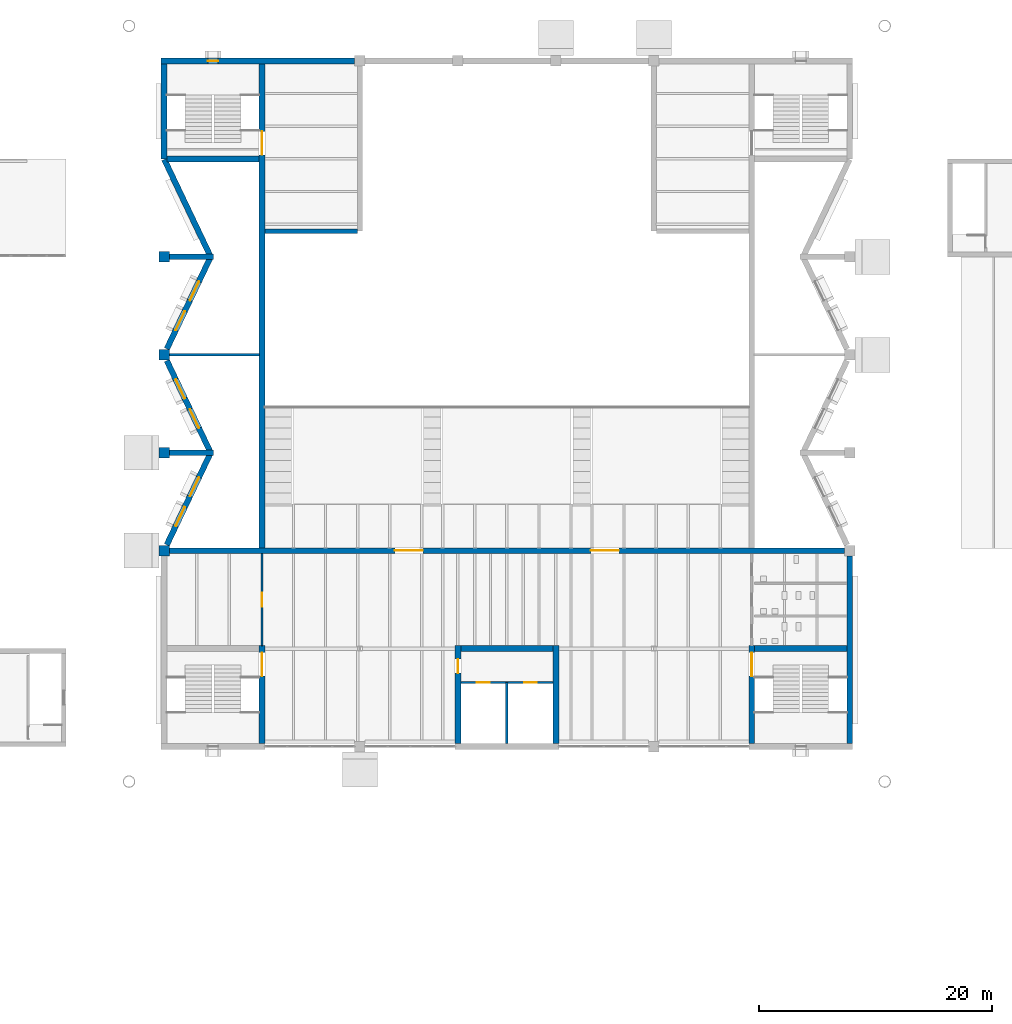
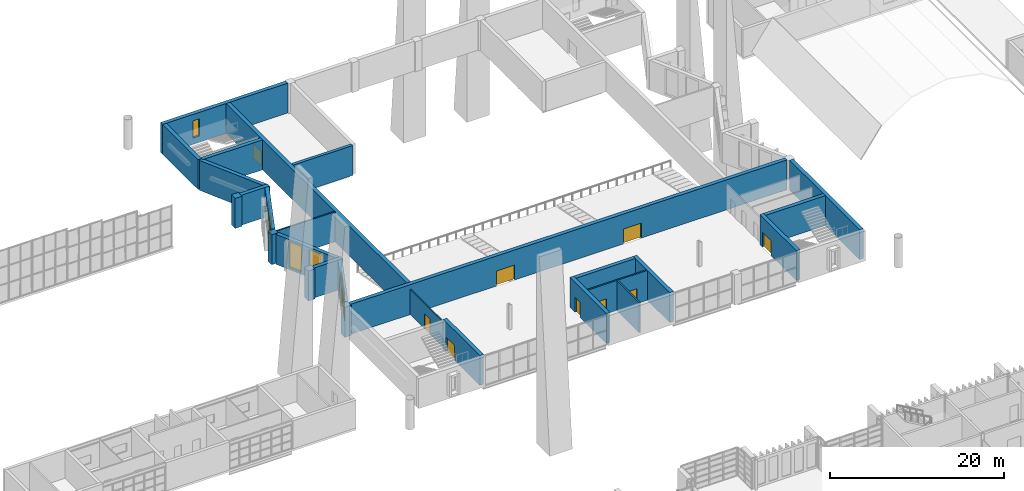
# One storey, part 70 of 100: 27 walls, 9 doors, 7 windows, 16 openings.
"""IFC4 building model written with IfcOpenShell, lengths in metres."""

from ifc_helpers import new_model, si_unit, direction, frame, frame_2d, origin, place, context, subcontext, project, spatial, rectangle, extrude, material, layer, layer_set, type_object, element, fill, save


model = new_model("IFC4")

# Units and contexts
model_context = context("Model", 3, precision=1e-05, world=origin(), true_north=direction((0.0, 1.0)))
body_context = subcontext(model_context, "Body", "Model", "MODEL_VIEW")
ifc_project = project(units=[si_unit("LENGTHUNIT", "METRE"), si_unit("AREAUNIT", "SQUARE_METRE"), si_unit("VOLUMEUNIT", "CUBIC_METRE"), si_unit("PLANEANGLEUNIT", "RADIAN"), si_unit("MASSUNIT", "GRAM", prefix="KILO")], contexts=[model_context])

# Site, building, storey
site_placement = place(None, origin())
site = spatial("IfcSite", under=ifc_project, at=site_placement, CompositionType="ELEMENT")
building_placement = place(site_placement, origin())
building = spatial("IfcBuilding", under=site, at=building_placement, Name="Cresset Court Congress Hotel", CompositionType="ELEMENT")
storey_placement = place(building_placement, frame((0.0, 0.0, 10.199951171875)))
storey = spatial("IfcBuildingStorey", under=building, at=storey_placement, Name="L02", CompositionType="ELEMENT", Elevation=10.199951171875)

# Wall
ifc_material_1 = material(Name="Concrete C35", Category="concrete")
ifc_layer_1 = layer(ifc_material_1, 0.199951171875)
ifc_layer_set_1 = layer_set([ifc_layer_1], Name="Gallery cross wall 200")
wall_type_1 = type_object("IfcWallType", Name="Gallery cross wall 200", PredefinedType="PARTITIONING", material=ifc_layer_set_1)
wall_1_placement = place(storey_placement, frame((59.25, 92.39990234375, 0.0), z_axis=(0.0, 0.0, 1.0), x_axis=(1.0, 0.0, 0.0)))
element("IfcWall", 1, at=wall_1_placement, inside=storey, type_object=wall_type_1, Name="Wall CP-galWL02", PredefinedType="PARTITIONING", context=body_context, shape_type="SweptSolid", body=[
    extrude(rectangle(XDim=7.75, YDim=0.199951171875, at=frame_2d((3.875, 0.0))), origin(), (0.0, 0.0, 1.0), 4.199951171875),
])

# Wall, openings, doors
ifc_material_2 = material(Name="Concrete C50", Category="concrete")
ifc_layer_2 = layer(ifc_material_2, 0.5)
ifc_layer_set_2 = layer_set([ifc_layer_2], Name="Hall inner wall 500")
wall_type_2 = type_object("IfcWallType", Name="Hall inner wall 500", PredefinedType="SOLIDWALL", material=ifc_layer_set_2)
wall_2_placement = place(storey_placement, frame((59.25, 75.60009765625, 0.0), z_axis=(0.0, 0.0, 1.0), x_axis=(1.0, 0.0, 0.0)))
wall_2 = element("IfcWall", 2, at=wall_2_placement, inside=storey, type_object=wall_type_2, Name="Wall CI-RL02", PredefinedType="SOLIDWALL", context=body_context, shape_type="SweptSolid", body=[
    extrude(rectangle(XDim=57.89990234375, YDim=0.5, at=frame_2d((28.949951171875, 0.0))), origin(), (0.0, 0.0, 1.0), 4.199951171875),
])
opening_1_placement = place(wall_2_placement, frame((19.35009765625, 0.0, 0.0)))
opening_1 = element("IfcOpeningElement", 3, at=opening_1_placement, cuts=wall_2, Name="Opening DC-02-14", PredefinedType="OPENING", context=body_context, shape_type="SweptSolid", body=[
    extrude(rectangle(XDim=2.39990234375, YDim=2.10009765625, at=frame_2d((1.199951171875, 1.050048828125))), frame((0.0, 0.260009765625, 0.0), z_axis=(0.0, -1.0, 0.0), x_axis=(1.0, 0.0, 0.0)), (0.0, 0.0, 1.0), 0.52001953125),
])
opening_2_placement = place(wall_2_placement, frame((36.14990234375, 0.0, 0.0)))
opening_2 = element("IfcOpeningElement", 4, at=opening_2_placement, cuts=wall_2, Name="Opening DC-02-15", PredefinedType="OPENING", context=body_context, shape_type="SweptSolid", body=[
    extrude(rectangle(XDim=2.39990234375, YDim=2.10009765625, at=frame_2d((1.199951171875, 1.050048828125))), frame((0.0, 0.260009765625, 0.0), z_axis=(0.0, -1.0, 0.0), x_axis=(1.0, 0.0, 0.0)), (0.0, 0.0, 1.0), 0.52001953125),
])
ifc_material_3 = material(Name="Timber", Category="wood")
door_type_1 = type_object("IfcDoorType", Name="Double swing door 2400x2100 FD30", OperationType="DOUBLE_DOOR_DOUBLE_SWING", PredefinedType="DOOR", material=ifc_material_3)
door_1_placement = place(opening_1_placement, origin())
door_1 = element("IfcDoor", 5, at=door_1_placement, inside=storey, type_object=door_type_1, Name="Balcony door W", OperationType="DOUBLE_DOOR_DOUBLE_SWING", OverallHeight=2.10009765625, OverallWidth=2.39990234375, PredefinedType="DOOR", context=body_context, shape_type="SweptSolid", body=[
    extrude(rectangle(XDim=2.39990234375, YDim=2.10009765625, at=frame_2d((1.199951171875, 1.050048828125))), frame((0.0, 0.02490234375, 0.0), z_axis=(0.0, -1.0, 0.0), x_axis=(1.0, 0.0, 0.0)), (0.0, 0.0, 1.0), 0.050048828125),
])
fill(opening_1, door_1)
door_2_placement = place(opening_2_placement, origin())
door_2 = element("IfcDoor", 6, at=door_2_placement, inside=storey, type_object=door_type_1, Name="Balcony door E", OperationType="DOUBLE_DOOR_DOUBLE_SWING", OverallHeight=2.10009765625, OverallWidth=2.39990234375, PredefinedType="DOOR", context=body_context, shape_type="SweptSolid", body=[
    extrude(rectangle(XDim=2.39990234375, YDim=2.10009765625, at=frame_2d((1.199951171875, 1.050048828125))), frame((0.0, 0.02490234375, 0.0), z_axis=(0.0, -1.0, 0.0), x_axis=(1.0, 0.0, 0.0)), (0.0, 0.0, 1.0), 0.050048828125),
])
fill(opening_2, door_2)

# Wall, opening, door
wall_3_placement = place(storey_placement, frame((67.199951171875, 75.85009765625, 0.0), z_axis=(0.0, 0.0, 1.0), x_axis=(0.0, 1.0, 0.0)))
wall_3 = element("IfcWall", 7, at=wall_3_placement, inside=storey, type_object=wall_type_2, Name="Wall CI-WL02", PredefinedType="SOLIDWALL", context=body_context, shape_type="SweptSolid", body=[
    extrude(rectangle(XDim=41.5, YDim=0.5, at=frame_2d((20.75, 0.0))), origin(), (0.0, 0.0, 1.0), 4.199951171875),
])
opening_3_placement = place(wall_3_placement, frame((33.699951171875, 0.0, 0.0)))
opening_3 = element("IfcOpeningElement", 8, at=opening_3_placement, cuts=wall_3, Name="Opening DC-02-03", PredefinedType="OPENING", context=body_context, shape_type="SweptSolid", body=[
    extrude(rectangle(XDim=2.0, YDim=2.10009765625, at=frame_2d((1.0, 1.050048828125))), frame((0.0, 0.260009765625, 0.0), z_axis=(0.0, -1.0, 0.0), x_axis=(1.0, 0.0, 0.0)), (0.0, 0.0, 1.0), 0.52001953125),
])
ifc_material_4 = material(Name="Timber", Category="wood")
door_type_2 = type_object("IfcDoorType", Name="Double swing door 2000x2100 FD60", OperationType="DOUBLE_DOOR_DOUBLE_SWING", PredefinedType="DOOR", material=ifc_material_4)
door_3_placement = place(opening_3_placement, origin())
door_3 = element("IfcDoor", 9, at=door_3_placement, inside=storey, type_object=door_type_2, Name="Stair door ST-C3 L02", OperationType="DOUBLE_DOOR_DOUBLE_SWING", OverallHeight=2.10009765625, OverallWidth=2.0, PredefinedType="DOOR", context=body_context, shape_type="SweptSolid", body=[
    extrude(rectangle(XDim=2.0, YDim=2.10009765625, at=frame_2d((1.0, 1.050048828125))), frame((0.0, 0.02490234375, 0.0), z_axis=(0.0, -1.0, 0.0), x_axis=(1.0, 0.0, 0.0)), (0.0, 0.0, 1.0), 0.050048828125),
])
fill(opening_3, door_3)

wall_4_placement = place(storey_placement, frame((67.199951171875, 59.050048828125, 0.0), z_axis=(0.0, 0.0, 1.0), x_axis=(0.0, 1.0, 0.0)))
wall_4 = element("IfcWall", 10, at=wall_4_placement, inside=storey, type_object=wall_type_2, Name="Wall CC-C1EL02", PredefinedType="SOLIDWALL", context=body_context, shape_type="SweptSolid", body=[
    extrude(rectangle(XDim=8.39990234375, YDim=0.5, at=frame_2d((4.199951171875, 0.0))), origin(), (0.0, 0.0, 1.0), 4.199951171875),
])
opening_4_placement = place(wall_4_placement, frame((5.800048828125, 0.0, 0.0)))
opening_4 = element("IfcOpeningElement", 11, at=opening_4_placement, cuts=wall_4, Name="Opening DC-02-01", PredefinedType="OPENING", context=body_context, shape_type="SweptSolid", body=[
    extrude(rectangle(XDim=2.0, YDim=2.10009765625, at=frame_2d((1.0, 1.050048828125))), frame((0.0, 0.260009765625, 0.0), z_axis=(0.0, -1.0, 0.0), x_axis=(1.0, 0.0, 0.0)), (0.0, 0.0, 1.0), 0.52001953125),
])
door_4_placement = place(opening_4_placement, origin())
door_4 = element("IfcDoor", 12, at=door_4_placement, inside=storey, type_object=door_type_2, Name="Stair door ST-C1 L02", OperationType="DOUBLE_DOOR_DOUBLE_SWING", OverallHeight=2.10009765625, OverallWidth=2.0, PredefinedType="DOOR", context=body_context, shape_type="SweptSolid", body=[
    extrude(rectangle(XDim=2.0, YDim=2.10009765625, at=frame_2d((1.0, 1.050048828125))), frame((0.0, 0.02490234375, 0.0), z_axis=(0.0, -1.0, 0.0), x_axis=(1.0, 0.0, 0.0)), (0.0, 0.0, 1.0), 0.050048828125),
])
fill(opening_4, door_4)

wall_5_placement = place(storey_placement, frame((109.199951171875, 59.050048828125, 0.0), z_axis=(0.0, 0.0, 1.0), x_axis=(0.0, 1.0, 0.0)))
wall_5 = element("IfcWall", 13, at=wall_5_placement, inside=storey, type_object=wall_type_2, Name="Wall CC-C2WL02", PredefinedType="SOLIDWALL", context=body_context, shape_type="SweptSolid", body=[
    extrude(rectangle(XDim=8.39990234375, YDim=0.5, at=frame_2d((4.199951171875, 0.0))), origin(), (0.0, 0.0, 1.0), 4.199951171875),
])
opening_5_placement = place(wall_5_placement, frame((5.800048828125, 0.0, 0.0)))
opening_5 = element("IfcOpeningElement", 14, at=opening_5_placement, cuts=wall_5, Name="Opening DC-02-02", PredefinedType="OPENING", context=body_context, shape_type="SweptSolid", body=[
    extrude(rectangle(XDim=2.0, YDim=2.10009765625, at=frame_2d((1.0, 1.050048828125))), frame((0.0, 0.260009765625, 0.0), z_axis=(0.0, -1.0, 0.0), x_axis=(1.0, 0.0, 0.0)), (0.0, 0.0, 1.0), 0.52001953125),
])
door_5_placement = place(opening_5_placement, origin())
door_5 = element("IfcDoor", 15, at=door_5_placement, inside=storey, type_object=door_type_2, Name="Stair door ST-C2 L02", OperationType="DOUBLE_DOOR_DOUBLE_SWING", OverallHeight=2.10009765625, OverallWidth=2.0, PredefinedType="DOOR", context=body_context, shape_type="SweptSolid", body=[
    extrude(rectangle(XDim=2.0, YDim=2.10009765625, at=frame_2d((1.0, 1.050048828125))), frame((0.0, 0.02490234375, 0.0), z_axis=(0.0, -1.0, 0.0), x_axis=(1.0, 0.0, 0.0)), (0.0, 0.0, 1.0), 0.050048828125),
])
fill(opening_5, door_5)

# Walls
wall_6_placement = place(storey_placement, frame((109.449951171875, 67.199951171875, 0.0), z_axis=(0.0, 0.0, 1.0), x_axis=(1.0, 0.0, 0.0)))
element("IfcWall", 16, at=wall_6_placement, inside=storey, type_object=wall_type_2, Name="Wall CC-C2NL02", PredefinedType="SOLIDWALL", context=body_context, shape_type="SweptSolid", body=[
    extrude(rectangle(XDim=7.900146484375, YDim=0.5, at=frame_2d((3.9501953125, 0.0))), origin(), (0.0, 0.0, 1.0), 4.199951171875),
])
wall_7_placement = place(storey_placement, frame((59.050048828125, 109.199951171875, 0.0), z_axis=(0.0, 0.0, 1.0), x_axis=(1.0, 0.0, 0.0)))
element("IfcWall", 17, at=wall_7_placement, inside=storey, type_object=wall_type_2, Name="Wall CC-C3SL02", PredefinedType="SOLIDWALL", context=body_context, shape_type="SweptSolid", body=[
    extrude(rectangle(XDim=7.89990234375, YDim=0.5, at=frame_2d((3.949951171875, 0.0))), origin(), (0.0, 0.0, 1.0), 4.199951171875),
])
wall_8_placement = place(storey_placement, frame((92.39990234375, 59.050048828125, 0.0), z_axis=(0.0, 0.0, 1.0), x_axis=(0.0, 1.0, 0.0)))
element("IfcWall", 18, at=wall_8_placement, inside=storey, type_object=wall_type_2, Name="Wall CC-C1EL02", PredefinedType="SOLIDWALL", context=body_context, shape_type="SweptSolid", body=[
    extrude(rectangle(XDim=8.39990234375, YDim=0.5, at=frame_2d((4.199951171875, 0.0))), origin(), (0.0, 0.0, 1.0), 4.199951171875),
])

# Wall, opening, door
wall_9_placement = place(storey_placement, frame((84.0, 59.050048828125, 0.0), z_axis=(0.0, 0.0, 1.0), x_axis=(0.0, 1.0, 0.0)))
wall_9 = element("IfcWall", 19, at=wall_9_placement, inside=storey, type_object=wall_type_2, Name="Wall CC-C1WL02", PredefinedType="SOLIDWALL", context=body_context, shape_type="SweptSolid", body=[
    extrude(rectangle(XDim=8.39990234375, YDim=0.5, at=frame_2d((4.199951171875, 0.0))), origin(), (0.0, 0.0, 1.0), 4.199951171875),
])
opening_6_placement = place(wall_9_placement, frame((6.050048828125, 0.0, 0.0)))
opening_6 = element("IfcOpeningElement", 20, at=opening_6_placement, cuts=wall_9, Name="Opening DC-02-05", PredefinedType="OPENING", context=body_context, shape_type="SweptSolid", body=[
    extrude(rectangle(XDim=1.199951171875, YDim=2.10009765625, at=frame_2d((0.60009765625, 1.050048828125))), frame((0.0, 0.260009765625, 0.0), z_axis=(0.0, -1.0, 0.0), x_axis=(1.0, 0.0, 0.0)), (0.0, 0.0, 1.0), 0.52001953125),
])
ifc_material_5 = material(Name="Timber", Category="wood")
door_type_3 = type_object("IfcDoorType", Name="Single swing door 1200x2100 FD60", OperationType="SINGLE_SWING_LEFT", PredefinedType="DOOR", material=ifc_material_5)
door_6_placement = place(opening_6_placement, origin())
door_6 = element("IfcDoor", 21, at=door_6_placement, inside=storey, type_object=door_type_3, Name="Lift lobby door L02", OperationType="SINGLE_SWING_LEFT", OverallHeight=2.10009765625, OverallWidth=1.199951171875, PredefinedType="DOOR", context=body_context, shape_type="SweptSolid", body=[
    extrude(rectangle(XDim=1.199951171875, YDim=2.10009765625, at=frame_2d((0.60009765625, 1.050048828125))), frame((0.0, 0.02490234375, 0.0), z_axis=(0.0, -1.0, 0.0), x_axis=(1.0, 0.0, 0.0)), (0.0, 0.0, 1.0), 0.050048828125),
])
fill(opening_6, door_6)

# Walls
wall_10_placement = place(storey_placement, frame((84.25, 67.199951171875, 0.0), z_axis=(0.0, 0.0, 1.0), x_axis=(1.0, 0.0, 0.0)))
element("IfcWall", 22, at=wall_10_placement, inside=storey, type_object=wall_type_2, Name="Wall CC-C1NL02", PredefinedType="SOLIDWALL", context=body_context, shape_type="SweptSolid", body=[
    extrude(rectangle(XDim=7.89990234375, YDim=0.5, at=frame_2d((3.949951171875, 0.0))), origin(), (0.0, 0.0, 1.0), 4.199951171875),
])
ifc_material_6 = material(Name="Limestone-faced precast concrete C50", Category="masonry")
ifc_layer_3 = layer(ifc_material_6, 0.5)
ifc_layer_set_3 = layer_set([ifc_layer_3], Name="Hall perimeter wall 500")
wall_type_3 = type_object("IfcWallType", Name="Hall perimeter wall 500", PredefinedType="SOLIDWALL", material=ifc_layer_set_3)
wall_11_placement = place(storey_placement, frame((117.60009765625, 75.14990234375, 0.0), z_axis=(0.0, 0.0, 1.0), x_axis=(0.0, -1.0, 0.0)))
element("IfcWall", 23, at=wall_11_placement, inside=storey, type_object=wall_type_3, Name="Wall CW-EL02-1", PredefinedType="SOLIDWALL", context=body_context, shape_type="SweptSolid", body=[
    extrude(rectangle(XDim=16.099853515625, YDim=0.5, at=frame_2d((8.0498046875, 0.0))), origin(), (0.0, 0.0, 1.0), 4.199951171875),
])

# Wall, opening, window
wall_12_placement = place(storey_placement, frame((58.550048828125, 117.60009765625, 0.0), z_axis=(0.0, 0.0, 1.0), x_axis=(1.0, 0.0, 0.0)))
wall_12 = element("IfcWall", 24, at=wall_12_placement, inside=storey, type_object=wall_type_3, Name="Wall CW-NL02-5", PredefinedType="SOLIDWALL", context=body_context, shape_type="SweptSolid", body=[
    extrude(rectangle(XDim=16.599853515625, YDim=0.5, at=frame_2d((8.2998046875, 0.0))), origin(), (0.0, 0.0, 1.0), 4.199951171875),
])
opening_7_placement = place(wall_12_placement, frame((4.0, 0.0, 0.89990234375)))
opening_7 = element("IfcOpeningElement", 25, at=opening_7_placement, cuts=wall_12, Name="Opening NC-02-C3", PredefinedType="OPENING", context=body_context, shape_type="SweptSolid", body=[
    extrude(rectangle(XDim=0.89990234375, YDim=2.39990234375, at=frame_2d((0.449951171875, 1.199951171875))), frame((0.0, 0.260009765625, 0.0), z_axis=(0.0, -1.0, 0.0), x_axis=(1.0, 0.0, 0.0)), (0.0, 0.0, 1.0), 0.52001953125),
])
ifc_material_7 = material(Name="Aluminium and glass", Category="aluminium")
window_type_1 = type_object("IfcWindowType", Name="Fixed window 900x2400", PartitioningType="SINGLE_PANEL", PredefinedType="WINDOW", material=ifc_material_7)
window_1_placement = place(opening_7_placement, origin())
window_1 = element("IfcWindow", 26, at=window_1_placement, inside=storey, type_object=window_type_1, Name="Window NC-02-C3", OverallHeight=2.39990234375, OverallWidth=0.89990234375, PartitioningType="SINGLE_PANEL", PredefinedType="WINDOW", context=body_context, shape_type="SweptSolid", body=[
    extrude(rectangle(XDim=0.89990234375, YDim=2.39990234375, at=frame_2d((0.449951171875, 1.199951171875))), frame((0.0, 0.030029296875, 0.0), z_axis=(0.0, -1.0, 0.0), x_axis=(1.0, 0.0, 0.0)), (0.0, 0.0, 1.0), 0.06005859375),
])
fill(opening_7, window_1)

# Walls
wall_13_placement = place(storey_placement, frame((58.800048828125, 109.199951171875, 0.0), z_axis=(0.0, 0.0, 1.0), x_axis=(0.0, 1.0, 0.0)))
element("IfcWall", 27, at=wall_13_placement, inside=storey, type_object=wall_type_3, Name="Wall CW-WL02-1.1", PredefinedType="SOLIDWALL", context=body_context, shape_type="SweptSolid", body=[
    extrude(rectangle(XDim=8.150146484375, YDim=0.5, at=frame_2d((4.0751953125, 0.0))), origin(), (0.0, 0.0, 1.0), 4.199951171875),
])
wall_14_placement = place(storey_placement, frame((62.734619140625, 100.9375, 0.0), z_axis=(0.0, 0.0, 1.0), x_axis=(-0.429953375566, 0.902851092284, 0.0)))
element("IfcWall", 28, at=wall_14_placement, inside=storey, type_object=wall_type_3, Name="Wall CW-WL02-1.2", PredefinedType="SOLIDWALL", context=body_context, shape_type="SweptSolid", body=[
    extrude(rectangle(XDim=9.09619140625, YDim=0.5, at=frame_2d((4.548095703125, 0.0))), origin(), (0.0, 0.0, 1.0), 4.199951171875),
])

# Wall, openings, windows
wall_15_placement = place(storey_placement, frame((59.0380859375, 92.89990234375, 0.0), z_axis=(0.0, 0.0, 1.0), x_axis=(0.429934682616, 0.902859993955, 0.0)))
wall_15 = element("IfcWall", 29, at=wall_15_placement, inside=storey, type_object=wall_type_3, Name="Wall CW-WL02-2", PredefinedType="SOLIDWALL", context=body_context, shape_type="SweptSolid", body=[
    extrude(rectangle(XDim=8.597900390625, YDim=0.5, at=frame_2d((4.298828125, 0.0))), origin(), (0.0, 0.0, 1.0), 4.199951171875),
])
opening_8_placement = place(wall_15_placement, frame((4.6103515625, 0.0, 0.300048828125)))
opening_8 = element("IfcOpeningElement", 30, at=opening_8_placement, cuts=wall_15, Name="Opening NC-02-W0197", PredefinedType="OPENING", context=body_context, shape_type="SweptSolid", body=[
    extrude(rectangle(XDim=1.800048828125, YDim=3.60009765625, at=frame_2d((0.89990234375, 1.800048828125))), frame((0.0, 0.260009765625, 0.0), z_axis=(0.0, -1.0, 0.0), x_axis=(1.0, 0.0, 0.0)), (0.0, 0.0, 1.0), 0.52001953125),
])
opening_9_placement = place(wall_15_placement, frame((1.785888671875, 0.0, 0.300048828125)))
opening_9 = element("IfcOpeningElement", 31, at=opening_9_placement, cuts=wall_15, Name="Opening NC-02-W0222", PredefinedType="OPENING", context=body_context, shape_type="SweptSolid", body=[
    extrude(rectangle(XDim=1.800048828125, YDim=3.60009765625, at=frame_2d((0.89990234375, 1.800048828125))), frame((0.0, 0.260009765625, 0.0), z_axis=(0.0, -1.0, 0.0), x_axis=(1.0, 0.0, 0.0)), (0.0, 0.0, 1.0), 0.52001953125),
])
ifc_material_8 = material(Name="Aluminium and glass", Category="aluminium")
window_type_2 = type_object("IfcWindowType", Name="Fixed window 1800x3600", PartitioningType="SINGLE_PANEL", PredefinedType="WINDOW", material=ifc_material_8)
window_2_placement = place(opening_8_placement, origin())
window_2 = element("IfcWindow", 32, at=window_2_placement, inside=storey, type_object=window_type_2, Name="Window NC-02-W0197", OverallHeight=3.60009765625, OverallWidth=1.800048828125, PartitioningType="SINGLE_PANEL", PredefinedType="WINDOW", context=body_context, shape_type="SweptSolid", body=[
    extrude(rectangle(XDim=1.800048828125, YDim=3.60009765625, at=frame_2d((0.89990234375, 1.800048828125))), frame((0.0, 0.030029296875, 0.0), z_axis=(0.0, -1.0, 0.0), x_axis=(1.0, 0.0, 0.0)), (0.0, 0.0, 1.0), 0.06005859375),
])
fill(opening_8, window_2)
window_3_placement = place(opening_9_placement, origin())
window_3 = element("IfcWindow", 33, at=window_3_placement, inside=storey, type_object=window_type_2, Name="Window NC-02-W0222", OverallHeight=3.60009765625, OverallWidth=1.800048828125, PartitioningType="SINGLE_PANEL", PredefinedType="WINDOW", context=body_context, shape_type="SweptSolid", body=[
    extrude(rectangle(XDim=1.800048828125, YDim=3.60009765625, at=frame_2d((0.89990234375, 1.800048828125))), frame((0.0, 0.030029296875, 0.0), z_axis=(0.0, -1.0, 0.0), x_axis=(1.0, 0.0, 0.0)), (0.0, 0.0, 1.0), 0.06005859375),
])
fill(opening_9, window_3)

wall_16_placement = place(storey_placement, frame((62.734619140625, 84.137451171875, 0.0), z_axis=(0.0, 0.0, 1.0), x_axis=(-0.429945705131, 0.902854745039, 0.0)))
wall_16 = element("IfcWall", 34, at=wall_16_placement, inside=storey, type_object=wall_type_3, Name="Wall CW-WL02-3", PredefinedType="SOLIDWALL", context=body_context, shape_type="SweptSolid", body=[
    extrude(rectangle(XDim=8.59765625, YDim=0.5, at=frame_2d((4.298828125, 0.0))), origin(), (0.0, 0.0, 1.0), 4.199951171875),
])
opening_10_placement = place(wall_16_placement, frame((5.01171875, 0.0, 0.300048828125)))
opening_10 = element("IfcOpeningElement", 35, at=opening_10_placement, cuts=wall_16, Name="Opening NC-02-W0281", PredefinedType="OPENING", context=body_context, shape_type="SweptSolid", body=[
    extrude(rectangle(XDim=1.800048828125, YDim=3.60009765625, at=frame_2d((0.89990234375, 1.800048828125))), frame((0.0, 0.260009765625, 0.0), z_axis=(0.0, -1.0, 0.0), x_axis=(1.0, 0.0, 0.0)), (0.0, 0.0, 1.0), 0.52001953125),
])
opening_11_placement = place(wall_16_placement, frame((2.1875, 0.0, 0.300048828125)))
opening_11 = element("IfcOpeningElement", 36, at=opening_11_placement, cuts=wall_16, Name="Opening NC-02-W0306", PredefinedType="OPENING", context=body_context, shape_type="SweptSolid", body=[
    extrude(rectangle(XDim=1.800048828125, YDim=3.60009765625, at=frame_2d((0.89990234375, 1.800048828125))), frame((0.0, 0.260009765625, 0.0), z_axis=(0.0, -1.0, 0.0), x_axis=(1.0, 0.0, 0.0)), (0.0, 0.0, 1.0), 0.52001953125),
])
window_4_placement = place(opening_10_placement, origin())
window_4 = element("IfcWindow", 37, at=window_4_placement, inside=storey, type_object=window_type_2, Name="Window NC-02-W0281", OverallHeight=3.60009765625, OverallWidth=1.800048828125, PartitioningType="SINGLE_PANEL", PredefinedType="WINDOW", context=body_context, shape_type="SweptSolid", body=[
    extrude(rectangle(XDim=1.800048828125, YDim=3.60009765625, at=frame_2d((0.89990234375, 1.800048828125))), frame((0.0, 0.030029296875, 0.0), z_axis=(0.0, -1.0, 0.0), x_axis=(1.0, 0.0, 0.0)), (0.0, 0.0, 1.0), 0.06005859375),
])
fill(opening_10, window_4)
window_5_placement = place(opening_11_placement, origin())
window_5 = element("IfcWindow", 38, at=window_5_placement, inside=storey, type_object=window_type_2, Name="Window NC-02-W0306", OverallHeight=3.60009765625, OverallWidth=1.800048828125, PartitioningType="SINGLE_PANEL", PredefinedType="WINDOW", context=body_context, shape_type="SweptSolid", body=[
    extrude(rectangle(XDim=1.800048828125, YDim=3.60009765625, at=frame_2d((0.89990234375, 1.800048828125))), frame((0.0, 0.030029296875, 0.0), z_axis=(0.0, -1.0, 0.0), x_axis=(1.0, 0.0, 0.0)), (0.0, 0.0, 1.0), 0.06005859375),
])
fill(opening_11, window_5)

wall_17_placement = place(storey_placement, frame((59.0380859375, 76.10009765625, 0.0), z_axis=(0.0, 0.0, 1.0), x_axis=(0.429945705131, 0.902854745039, 0.0)))
wall_17 = element("IfcWall", 39, at=wall_17_placement, inside=storey, type_object=wall_type_3, Name="Wall CW-WL02-4", PredefinedType="SOLIDWALL", context=body_context, shape_type="SweptSolid", body=[
    extrude(rectangle(XDim=8.59765625, YDim=0.5, at=frame_2d((4.298828125, 0.0))), origin(), (0.0, 0.0, 1.0), 4.199951171875),
])
opening_12_placement = place(wall_17_placement, frame((4.6103515625, 0.0, 0.300048828125)))
opening_12 = element("IfcOpeningElement", 40, at=opening_12_placement, cuts=wall_17, Name="Opening NC-02-W0365", PredefinedType="OPENING", context=body_context, shape_type="SweptSolid", body=[
    extrude(rectangle(XDim=1.800048828125, YDim=3.60009765625, at=frame_2d((0.89990234375, 1.800048828125))), frame((0.0, 0.260009765625, 0.0), z_axis=(0.0, -1.0, 0.0), x_axis=(1.0, 0.0, 0.0)), (0.0, 0.0, 1.0), 0.52001953125),
])
opening_13_placement = place(wall_17_placement, frame((1.785888671875, 0.0, 0.300048828125)))
opening_13 = element("IfcOpeningElement", 41, at=opening_13_placement, cuts=wall_17, Name="Opening NC-02-W0390", PredefinedType="OPENING", context=body_context, shape_type="SweptSolid", body=[
    extrude(rectangle(XDim=1.800048828125, YDim=3.60009765625, at=frame_2d((0.89990234375, 1.800048828125))), frame((0.0, 0.260009765625, 0.0), z_axis=(0.0, -1.0, 0.0), x_axis=(1.0, 0.0, 0.0)), (0.0, 0.0, 1.0), 0.52001953125),
])
window_6_placement = place(opening_12_placement, origin())
window_6 = element("IfcWindow", 42, at=window_6_placement, inside=storey, type_object=window_type_2, Name="Window NC-02-W0365", OverallHeight=3.60009765625, OverallWidth=1.800048828125, PartitioningType="SINGLE_PANEL", PredefinedType="WINDOW", context=body_context, shape_type="SweptSolid", body=[
    extrude(rectangle(XDim=1.800048828125, YDim=3.60009765625, at=frame_2d((0.89990234375, 1.800048828125))), frame((0.0, 0.030029296875, 0.0), z_axis=(0.0, -1.0, 0.0), x_axis=(1.0, 0.0, 0.0)), (0.0, 0.0, 1.0), 0.06005859375),
])
fill(opening_12, window_6)
window_7_placement = place(opening_13_placement, origin())
window_7 = element("IfcWindow", 43, at=window_7_placement, inside=storey, type_object=window_type_2, Name="Window NC-02-W0390", OverallHeight=3.60009765625, OverallWidth=1.800048828125, PartitioningType="SINGLE_PANEL", PredefinedType="WINDOW", context=body_context, shape_type="SweptSolid", body=[
    extrude(rectangle(XDim=1.800048828125, YDim=3.60009765625, at=frame_2d((0.89990234375, 1.800048828125))), frame((0.0, 0.030029296875, 0.0), z_axis=(0.0, -1.0, 0.0), x_axis=(1.0, 0.0, 0.0)), (0.0, 0.0, 1.0), 0.06005859375),
])
fill(opening_13, window_7)

# Walls
for number, where, z_axis, x_axis, name in (
    (44, (63.050048828125, 100.800048828125, 0.0), (0.0, 0.0, 1.0), (-1.0, 0.0, 0.0), "Wall CW-WL02-R1"),
    (45, (63.050048828125, 84.0, 0.0), (0.0, 0.0, 1.0), (-1.0, 0.0, 0.0), "Wall CW-WL02-R2"),
):
    element("IfcWall", number, at=place(storey_placement, frame(where, z_axis=z_axis, x_axis=x_axis)), inside=storey, type_object=wall_type_3, Name=name, PredefinedType="SOLIDWALL", context=body_context, shape_type="SweptSolid", body=[
        extrude(rectangle(XDim=3.800048828125, YDim=0.5, at=frame_2d((1.89990234375, 0.0))), origin(), (0.0, 0.0, 1.0), 4.199951171875),
    ])
ifc_material_9 = material(Name="Concrete C50", Category="concrete")
ifc_layer_4 = layer(ifc_material_9, 0.89990234375)
ifc_layer_set_4 = layer_set([ifc_layer_4], Name="Hall pilaster 900x900")
wall_type_4 = type_object("IfcWallType", Name="Hall pilaster 900x900", PredefinedType="SOLIDWALL", material=ifc_layer_set_4)
wall_18_placement = place(storey_placement, frame((58.800048828125, 101.25, 0.0), z_axis=(0.0, 0.0, 1.0), x_axis=(0.0, -1.0, 0.0)))
element("IfcWall", 46, at=wall_18_placement, inside=storey, type_object=wall_type_4, Name="Pilaster P-W1", PredefinedType="SOLIDWALL", context=body_context, shape_type="SweptSolid", body=[
    extrude(rectangle(XDim=0.89990234375, YDim=0.89990234375, at=frame_2d((0.449951171875, 0.0))), origin(), (0.0, 0.0, 1.0), 4.199951171875),
])
wall_19_placement = place(storey_placement, frame((58.800048828125, 92.85009765625, 0.0), z_axis=(0.0, 0.0, 1.0), x_axis=(0.0, -1.0, 0.0)))
element("IfcWall", 47, at=wall_19_placement, inside=storey, type_object=wall_type_4, Name="Pilaster P-W2", PredefinedType="SOLIDWALL", context=body_context, shape_type="SweptSolid", body=[
    extrude(rectangle(XDim=0.900146484375, YDim=0.89990234375, at=frame_2d((0.4501953125, 0.0))), origin(), (0.0, 0.0, 1.0), 4.199951171875),
])
wall_20_placement = place(storey_placement, frame((58.800048828125, 84.449951171875, 0.0), z_axis=(0.0, 0.0, 1.0), x_axis=(0.0, -1.0, 0.0)))
element("IfcWall", 48, at=wall_20_placement, inside=storey, type_object=wall_type_4, Name="Pilaster P-W3", PredefinedType="SOLIDWALL", context=body_context, shape_type="SweptSolid", body=[
    extrude(rectangle(XDim=0.89990234375, YDim=0.89990234375, at=frame_2d((0.449951171875, 0.0))), origin(), (0.0, 0.0, 1.0), 4.199951171875),
])
wall_21_placement = place(storey_placement, frame((58.800048828125, 76.050048828125, 0.0), z_axis=(0.0, 0.0, 1.0), x_axis=(0.0, -1.0, 0.0)))
element("IfcWall", 49, at=wall_21_placement, inside=storey, type_object=wall_type_4, Name="Pilaster P-W4", PredefinedType="SOLIDWALL", context=body_context, shape_type="SweptSolid", body=[
    extrude(rectangle(XDim=0.900146484375, YDim=0.89990234375, at=frame_2d((0.4501953125, 0.0))), origin(), (0.0, 0.0, 1.0), 4.199951171875),
])

# Wall, opening, door
ifc_material_10 = material(Name="Gypsum board on steel studs", Category="steel")
ifc_layer_5 = layer(ifc_material_10, 0.14990234375)
ifc_layer_set_5 = layer_set([ifc_layer_5], Name="Hall room partition 150")
wall_type_5 = type_object("IfcWallType", Name="Hall room partition 150", PredefinedType="PARTITIONING", material=ifc_layer_set_5)
wall_22_placement = place(storey_placement, frame((67.199951171875, 67.449951171875, 0.0), z_axis=(0.0, 0.0, 1.0), x_axis=(0.0, 1.0, 0.0)))
wall_22 = element("IfcWall", 50, at=wall_22_placement, inside=storey, type_object=wall_type_5, Name="Wall CP-vip.L02", PredefinedType="PARTITIONING", context=body_context, shape_type="SweptSolid", body=[
    extrude(rectangle(XDim=7.900146484375, YDim=0.14990234375, at=frame_2d((3.9501953125, 0.0))), origin(), (0.0, 0.0, 1.0), 3.550048828125),
])
opening_14_placement = place(wall_22_placement, frame((3.35009765625, 0.0, 0.0)))
opening_14 = element("IfcOpeningElement", 51, at=opening_14_placement, cuts=wall_22, Name="Opening DC-02-10A", PredefinedType="OPENING", context=body_context, shape_type="SweptSolid", body=[
    extrude(rectangle(XDim=1.199951171875, YDim=2.10009765625, at=frame_2d((0.60009765625, 1.050048828125))), frame((0.0, 0.0849609375, 0.0), z_axis=(0.0, -1.0, 0.0), x_axis=(1.0, 0.0, 0.0)), (0.0, 0.0, 1.0), 0.169921875),
])
ifc_material_11 = material(Name="Timber", Category="wood")
door_type_4 = type_object("IfcDoorType", Name="Single swing door 1200x2100 internal", OperationType="SINGLE_SWING_LEFT", PredefinedType="DOOR", material=ifc_material_11)
door_7_placement = place(opening_14_placement, origin())
door_7 = element("IfcDoor", 52, at=door_7_placement, inside=storey, type_object=door_type_4, Name="VIP lounge door", OperationType="SINGLE_SWING_LEFT", OverallHeight=2.10009765625, OverallWidth=1.199951171875, PredefinedType="DOOR", context=body_context, shape_type="SweptSolid", body=[
    extrude(rectangle(XDim=1.199951171875, YDim=2.10009765625, at=frame_2d((0.60009765625, 1.050048828125))), frame((0.0, 0.02490234375, 0.0), z_axis=(0.0, -1.0, 0.0), x_axis=(1.0, 0.0, 0.0)), (0.0, 0.0, 1.0), 0.050048828125),
])
fill(opening_14, door_7)

# Walls
ifc_material_12 = material(Name="Concrete C50", Category="concrete")
ifc_layer_6 = layer(ifc_material_12, 0.39990234375)
ifc_layer_set_6 = layer_set([ifc_layer_6], Name="Hall stage wall 400")
wall_type_6 = type_object("IfcWallType", Name="Hall stage wall 400", PredefinedType="SOLIDWALL", material=ifc_layer_set_6)
wall_23_placement = place(storey_placement, frame((67.449951171875, 103.0, 0.0), z_axis=(0.0, 0.0, 1.0), x_axis=(1.0, 0.0, 0.0)))
element("IfcWall", 53, at=wall_23_placement, inside=storey, type_object=wall_type_6, Name="Wall CW-1L02", PredefinedType="SOLIDWALL", context=body_context, shape_type="SweptSolid", body=[
    extrude(rectangle(XDim=7.925048828125, YDim=0.39990234375, at=frame_2d((3.96240234375, 0.0))), origin(), (0.0, 0.0, 1.0), 4.199951171875),
])
ifc_material_13 = material(Name="Concrete C35", Category="concrete")
ifc_layer_7 = layer(ifc_material_13, 0.199951171875)
ifc_layer_set_7 = layer_set([ifc_layer_7], Name="Lift shaft partition 200")
wall_type_7 = type_object("IfcWallType", Name="Lift shaft partition 200", PredefinedType="PARTITIONING", material=ifc_layer_set_7)
wall_24_placement = place(storey_placement, frame((88.199951171875, 59.050048828125, 0.0), z_axis=(0.0, 0.0, 1.0), x_axis=(0.0, 1.0, 0.0)))
element("IfcWall", 54, at=wall_24_placement, inside=storey, type_object=wall_type_7, Name="Wall CL-DL02", PredefinedType="PARTITIONING", context=body_context, shape_type="SweptSolid", body=[
    extrude(rectangle(XDim=5.25, YDim=0.199951171875, at=frame_2d((2.625, 0.0))), origin(), (0.0, 0.0, 1.0), 4.199951171875),
])

# Wall, openings, doors
wall_25_placement = place(storey_placement, frame((84.25, 64.300048828125, 0.0), z_axis=(0.0, 0.0, 1.0), x_axis=(1.0, 0.0, 0.0)))
wall_25 = element("IfcWall", 55, at=wall_25_placement, inside=storey, type_object=wall_type_7, Name="Wall CL-LL02", PredefinedType="PARTITIONING", context=body_context, shape_type="SweptSolid", body=[
    extrude(rectangle(XDim=7.89990234375, YDim=0.199951171875, at=frame_2d((3.949951171875, 0.0))), origin(), (0.0, 0.0, 1.0), 4.199951171875),
])
opening_15_placement = place(wall_25_placement, frame((1.375, 0.0, 0.0)))
opening_15 = element("IfcOpeningElement", 56, at=opening_15_placement, cuts=wall_25, Name="Opening LD-C1-03", PredefinedType="OPENING", context=body_context, shape_type="SweptSolid", body=[
    extrude(rectangle(XDim=1.10009765625, YDim=2.10009765625, at=frame_2d((0.550048828125, 1.050048828125))), frame((0.0, 0.10986328125, 0.0), z_axis=(0.0, -1.0, 0.0), x_axis=(1.0, 0.0, 0.0)), (0.0, 0.0, 1.0), 0.219970703125),
])
opening_16_placement = place(wall_25_placement, frame((5.425048828125, 0.0, 0.0)))
opening_16 = element("IfcOpeningElement", 57, at=opening_16_placement, cuts=wall_25, Name="Opening LD-C2-03", PredefinedType="OPENING", context=body_context, shape_type="SweptSolid", body=[
    extrude(rectangle(XDim=1.10009765625, YDim=2.10009765625, at=frame_2d((0.550048828125, 1.050048828125))), frame((0.0, 0.10986328125, 0.0), z_axis=(0.0, -1.0, 0.0), x_axis=(1.0, 0.0, 0.0)), (0.0, 0.0, 1.0), 0.219970703125),
])
ifc_material_14 = material(Name="Stainless steel", Category="steel")
door_type_5 = type_object("IfcDoorType", Name="Single sliding landing door 1100x2100 E 60", OperationType="SLIDING_TO_LEFT", PredefinedType="DOOR", material=ifc_material_14)
door_8_placement = place(opening_15_placement, origin())
door_8 = element("IfcDoor", 58, at=door_8_placement, inside=storey, type_object=door_type_5, Name="Landing door LD-C1 L02", OperationType="SLIDING_TO_LEFT", OverallHeight=2.10009765625, OverallWidth=1.10009765625, PredefinedType="DOOR", context=body_context, shape_type="SweptSolid", body=[
    extrude(rectangle(XDim=1.10009765625, YDim=2.10009765625, at=frame_2d((0.550048828125, 1.050048828125))), frame((0.0, 0.02490234375, 0.0), z_axis=(0.0, -1.0, 0.0), x_axis=(1.0, 0.0, 0.0)), (0.0, 0.0, 1.0), 0.050048828125),
])
fill(opening_15, door_8)
door_9_placement = place(opening_16_placement, origin())
door_9 = element("IfcDoor", 59, at=door_9_placement, inside=storey, type_object=door_type_5, Name="Landing door LD-C2 L02", OperationType="SLIDING_TO_LEFT", OverallHeight=2.10009765625, OverallWidth=1.10009765625, PredefinedType="DOOR", context=body_context, shape_type="SweptSolid", body=[
    extrude(rectangle(XDim=1.10009765625, YDim=2.10009765625, at=frame_2d((0.550048828125, 1.050048828125))), frame((0.0, 0.02490234375, 0.0), z_axis=(0.0, -1.0, 0.0), x_axis=(1.0, 0.0, 0.0)), (0.0, 0.0, 1.0), 0.050048828125),
])
fill(opening_16, door_9)

save(model, "model.ifc")
